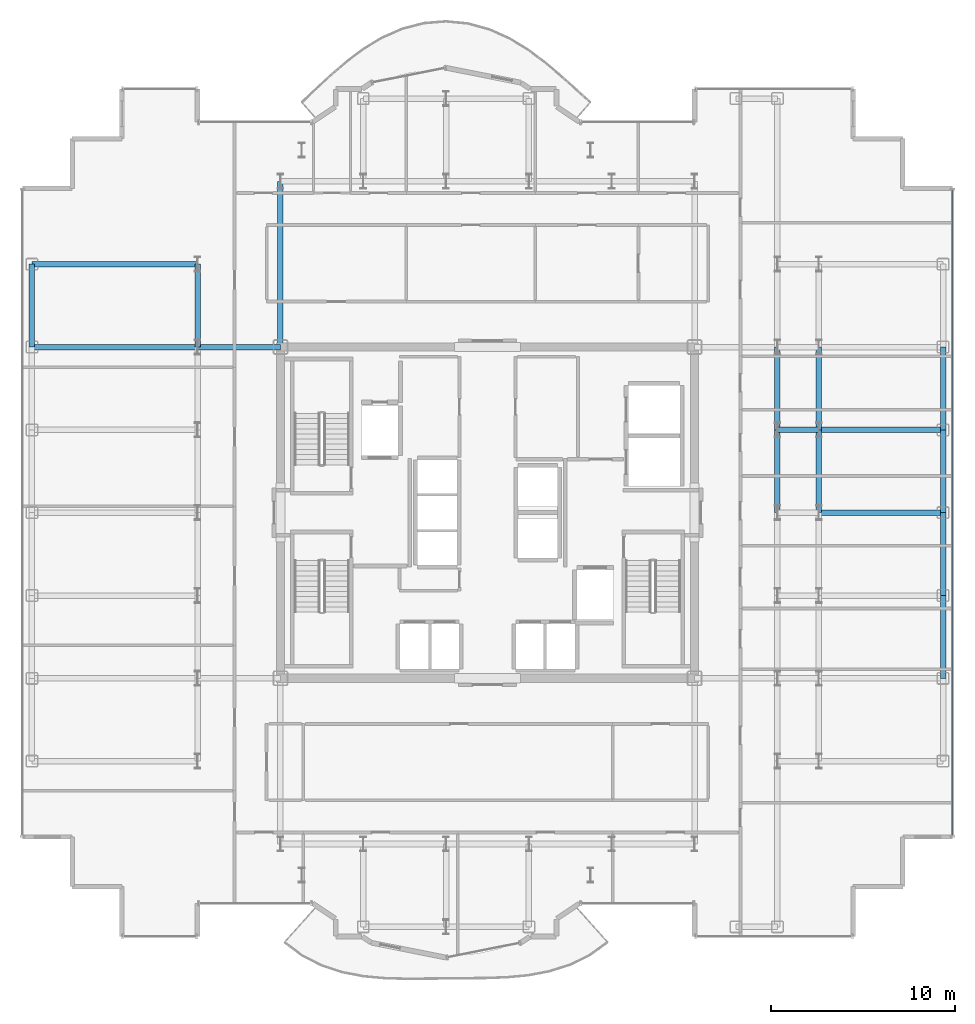
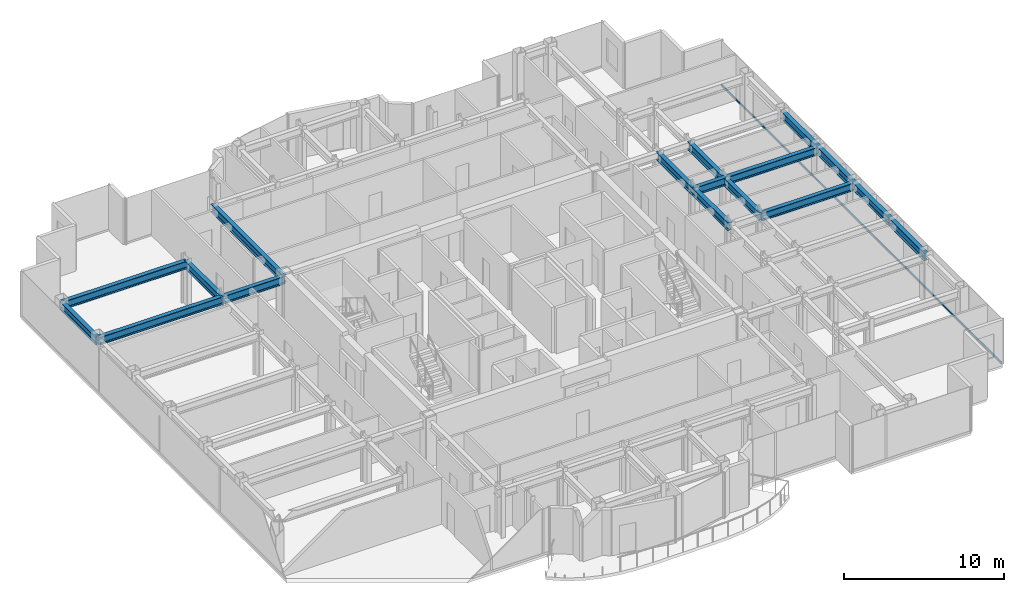
# One storey, part 7 of 21: 17 beams, 1 member, 1 element without a shape of its own.
"""IFC4 building model written with IfcOpenShell, lengths in metres."""

from ifc_helpers import new_model, si_unit, direction, frame, origin, origin_2d, place, context, subcontext, project, spatial, hollow_rectangle, i_section, extrude, source, transform, mapped, material, layer, layer_set, material_profile, profile_set, type_object, element, aggregate, save


model = new_model("IFC4")

# Units and contexts
model_context = context("Model", 3, precision=1e-05, world=origin(), true_north=direction((0.0, 1.0)))
body_context = subcontext(model_context, "Body", "Model", "MODEL_VIEW")
ifc_project = project(units=[si_unit("LENGTHUNIT", "METRE"), si_unit("AREAUNIT", "SQUARE_METRE"), si_unit("VOLUMEUNIT", "CUBIC_METRE"), si_unit("PLANEANGLEUNIT", "RADIAN"), si_unit("MASSUNIT", "GRAM", prefix="KILO")], contexts=[model_context])

# Site, building, storey
site_placement = place(None, origin())
site = spatial("IfcSite", under=ifc_project, at=site_placement, CompositionType="ELEMENT")
building_placement = place(site_placement, origin())
building = spatial("IfcBuilding", under=site, at=building_placement, Name="Nefas-Gora Pilgrimage Tower", CompositionType="ELEMENT")
storey_placement = place(building_placement, frame((0.0, 0.0, 256.0)))
storey = spatial("IfcBuildingStorey", under=building, at=storey_placement, Name="L64", CompositionType="ELEMENT", Elevation=256.0)

# Beams
ifc_material_1 = material(Name="Steel S355", Category="steel")
ifc_material_profile_1 = material_profile(ifc_material_1, i_section(OverallWidth=0.300048828125, OverallDepth=0.60009765625, WebThickness=0.015380859375, FlangeThickness=0.030029296875, FilletRadius=0.027099609375, at=origin_2d()), Name="HEB 600")
ifc_profile_set_1 = profile_set([ifc_material_profile_1], Name="Steel S355")
beam_type_1 = type_object("IfcBeamType", Name="BM-SPN-HEB450", PredefinedType="SPANDREL", material=ifc_profile_set_1)
shared_shape_1 = source(origin(), body_context, "Body", "SweptSolid", [
    extrude(i_section(OverallWidth=0.300048828125, OverallDepth=0.60009765625, WebThickness=0.015380859375, FlangeThickness=0.030029296875, FilletRadius=0.027099609375, at=origin_2d()), origin(), (0.0, 0.0, 1.0), 4.5),
])
for number, where, z_axis, x_axis, name in (
    (1, (-24.75, 9.0, 3.199951171875), (0.0, 1.0, 0.0), (-1.0, 0.0, 0.0), "L64 SP-03 beam"),
    (2, (24.75, -9.0, 3.199951171875), (0.0, 1.0, 0.0), (-1.0, 0.0, 0.0), "L64 SP-03 beam"),
    (3, (24.75, -4.5, 3.199951171875), (0.0, 1.0, 0.0), (-1.0, 0.0, 0.0), "L64 SP-03 beam"),
    (4, (24.75, 0.0, 3.199951171875), (0.0, 1.0, 0.0), (-1.0, 0.0, 0.0), "L64 SP-03 beam"),
    (5, (24.75, 4.5, 3.199951171875), (0.0, 1.0, 0.0), (-1.0, 0.0, 0.0), "L64 SP-03 beam"),
):
    element("IfcBeam", number, at=place(storey_placement, frame(where, z_axis=z_axis, x_axis=x_axis)), inside=storey, type_object=beam_type_1, Name=name, PredefinedType="SPANDREL", context=body_context, shape_type="MappedRepresentation", body=[
        mapped(shared_shape_1, transform((0.0, 0.0, 0.0), x_axis=(1.0, 0.0, 0.0), y_axis=(0.0, 1.0, 0.0), z_axis=(0.0, 0.0, 1.0), scale=1.0)),
    ])
ifc_material_profile_2 = material_profile(ifc_material_1, i_section(OverallWidth=0.300048828125, OverallDepth=0.60009765625, WebThickness=0.015380859375, FlangeThickness=0.030029296875, FilletRadius=0.027099609375, at=origin_2d()), Name="HEB 600")
ifc_profile_set_2 = profile_set([ifc_material_profile_2], Name="Steel S355")
beam_type_2 = type_object("IfcBeamType", Name="BM-GIR-HEB600", PredefinedType="BEAM", material=ifc_profile_set_2)
shared_shape_2 = source(origin(), body_context, "Body", "SweptSolid", [
    extrude(i_section(OverallWidth=0.300048828125, OverallDepth=0.60009765625, WebThickness=0.015380859375, FlangeThickness=0.030029296875, FilletRadius=0.027099609375, at=origin_2d()), origin(), (0.0, 0.0, 1.0), 9.0),
])
for number, where, z_axis, x_axis, name in (
    (6, (-24.75, 9.0, 3.199951171875), (1.0, 0.0, 0.0), (0.0, 1.0, 0.0), "L64 G-04 beam"),
    (7, (-24.75, 13.5, 3.199951171875), (1.0, 0.0, 0.0), (0.0, 1.0, 0.0), "L64 G-04 beam"),
    (8, (-11.25, 9.0, 3.199951171875), (0.0, 1.0, 0.0), (-1.0, 0.0, 0.0), "L64 G-04 beam"),
):
    element("IfcBeam", number, at=place(storey_placement, frame(where, z_axis=z_axis, x_axis=x_axis)), inside=storey, type_object=beam_type_2, Name=name, PredefinedType="BEAM", context=body_context, shape_type="MappedRepresentation", body=[
        mapped(shared_shape_2, transform((0.0, 0.0, 0.0), x_axis=(1.0, 0.0, 0.0), y_axis=(0.0, 1.0, 0.0), z_axis=(0.0, 0.0, 1.0), scale=1.0)),
    ])
shared_shape_3 = source(origin(), body_context, "Body", "SweptSolid", [
    extrude(i_section(OverallWidth=0.300048828125, OverallDepth=0.60009765625, WebThickness=0.015380859375, FlangeThickness=0.030029296875, FilletRadius=0.027099609375, at=origin_2d()), origin(), (0.0, 0.0, 1.0), 4.5),
])
for number, where, z_axis, x_axis, name in (
    (9, (-15.75, 9.0, 3.199951171875), (0.0, 1.0, 0.0), (-1.0, 0.0, 0.0), "L64 G-04 beam"),
    (10, (-15.75, 9.0, 3.199951171875), (1.0, 0.0, 0.0), (0.0, 1.0, 0.0), "L64 G-04 beam"),
    (11, (15.75, 0.0, 3.199951171875), (0.0, 1.0, 0.0), (-1.0, 0.0, 0.0), "L64 G-04 beam"),
    (12, (15.75, 4.5, 3.199951171875), (0.0, 1.0, 0.0), (-1.0, 0.0, 0.0), "L64 G-04 beam"),
    (13, (18.0, 0.0, 3.199951171875), (0.0, 1.0, 0.0), (-1.0, 0.0, 0.0), "L64 G-04 beam"),
    (14, (18.0, 4.5, 3.199951171875), (0.0, 1.0, 0.0), (-1.0, 0.0, 0.0), "L64 G-04 beam"),
):
    element("IfcBeam", number, at=place(storey_placement, frame(where, z_axis=z_axis, x_axis=x_axis)), inside=storey, type_object=beam_type_2, Name=name, PredefinedType="BEAM", context=body_context, shape_type="MappedRepresentation", body=[
        mapped(shared_shape_3, transform((0.0, 0.0, 0.0), x_axis=(1.0, 0.0, 0.0), y_axis=(0.0, 1.0, 0.0), z_axis=(0.0, 0.0, 1.0), scale=1.0)),
    ])
shared_shape_4 = source(origin(), body_context, "Body", "SweptSolid", [
    extrude(i_section(OverallWidth=0.300048828125, OverallDepth=0.60009765625, WebThickness=0.015380859375, FlangeThickness=0.030029296875, FilletRadius=0.027099609375, at=origin_2d()), origin(), (0.0, 0.0, 1.0), 6.75),
])
for number, where, z_axis, x_axis, name in (
    (15, (18.0, 0.0, 3.199951171875), (1.0, 0.0, 0.0), (0.0, 1.0, 0.0), "L64 G-04 beam"),
    (16, (18.0, 4.5, 3.199951171875), (1.0, 0.0, 0.0), (0.0, 1.0, 0.0), "L64 G-04 beam"),
):
    element("IfcBeam", number, at=place(storey_placement, frame(where, z_axis=z_axis, x_axis=x_axis)), inside=storey, type_object=beam_type_2, Name=name, PredefinedType="BEAM", context=body_context, shape_type="MappedRepresentation", body=[
        mapped(shared_shape_4, transform((0.0, 0.0, 0.0), x_axis=(1.0, 0.0, 0.0), y_axis=(0.0, 1.0, 0.0), z_axis=(0.0, 0.0, 1.0), scale=1.0)),
    ])
shared_shape_5 = source(origin(), body_context, "Body", "SweptSolid", [
    extrude(i_section(OverallWidth=0.300048828125, OverallDepth=0.60009765625, WebThickness=0.015380859375, FlangeThickness=0.030029296875, FilletRadius=0.027099609375, at=origin_2d()), origin(), (0.0, 0.0, 1.0), 2.25),
])
beam_placement = place(storey_placement, frame((15.75, 4.5, 3.199951171875), z_axis=(1.0, 0.0, 0.0), x_axis=(0.0, 1.0, 0.0)))
element("IfcBeam", 17, at=beam_placement, inside=storey, type_object=beam_type_2, Name="L64 G-04 beam", PredefinedType="BEAM", context=body_context, shape_type="MappedRepresentation", body=[
    mapped(shared_shape_5, transform((0.0, 0.0, 0.0), x_axis=(1.0, 0.0, 0.0), y_axis=(0.0, 1.0, 0.0), z_axis=(0.0, 0.0, 1.0), scale=1.0)),
])

# Curtain wall, member
ifc_material_2 = material(Name="Dark ceramic-fritted solar-control aluminium-glass curtain wall", Category="aluminium")
ifc_layer = layer(ifc_material_2, 0.219970703125)
ifc_layer_set = layer_set([ifc_layer], Name="Dark ceramic-fritted solar-control aluminium-glass curtain wall")
curtain_wall_type = type_object("IfcCurtainWallType", Name="CW-SYS-3", PredefinedType="NOTDEFINED", material=ifc_layer_set)
curtain_wall_placement = place(storey_placement, origin())
curtain_wall = element("IfcCurtainWall", 18, at=curtain_wall_placement, inside=storey, type_object=curtain_wall_type, Name="L64 Unitised Curtain Wall CW3", PredefinedType="NOTDEFINED")
ifc_material_3 = material(Name="Anodised architectural aluminium", Category="aluminium")
ifc_material_profile_3 = material_profile(ifc_material_3, hollow_rectangle(XDim=0.080078125, YDim=0.159912109375, WallThickness=0.00439453125, InnerFilletRadius=0.00439453125, OuterFilletRadius=0.009033203125, at=origin_2d()), Name="ALU TRANSOM 80x160")
ifc_profile_set_3 = profile_set([ifc_material_profile_3], Name="Anodised architectural aluminium")
member_type = type_object("IfcMemberType", Name="CWM-TRN-3", PredefinedType="USERDEFINED", material=ifc_profile_set_3)
shared_shape_6 = source(origin(), body_context, "Body", "SweptSolid", [
    extrude(hollow_rectangle(XDim=0.080078125, YDim=0.159912109375, WallThickness=0.00439453125, InnerFilletRadius=0.00439453125, OuterFilletRadius=0.009033203125, at=origin_2d()), origin(), (0.0, 0.0, 1.0), 35.06005859375),
])
member_placement = place(storey_placement, frame((25.27001953125, -17.530029296875, 0.050048828125), z_axis=(0.0, 1.0, 0.0), x_axis=(-1.0, 0.0, 0.0)))
member = element("IfcMember", 19, at=member_placement, type_object=member_type, Name="CW3 Spandrel Transom", ObjectType="TRANSOM", PredefinedType="USERDEFINED", context=body_context, shape_type="MappedRepresentation", body=[
    mapped(shared_shape_6, transform((0.0, 0.0, 0.0), x_axis=(1.0, 0.0, 0.0), y_axis=(0.0, 1.0, 0.0), z_axis=(0.0, 0.0, 1.0), scale=1.0)),
])
aggregate(curtain_wall, [member])

save(model, "model.ifc")
